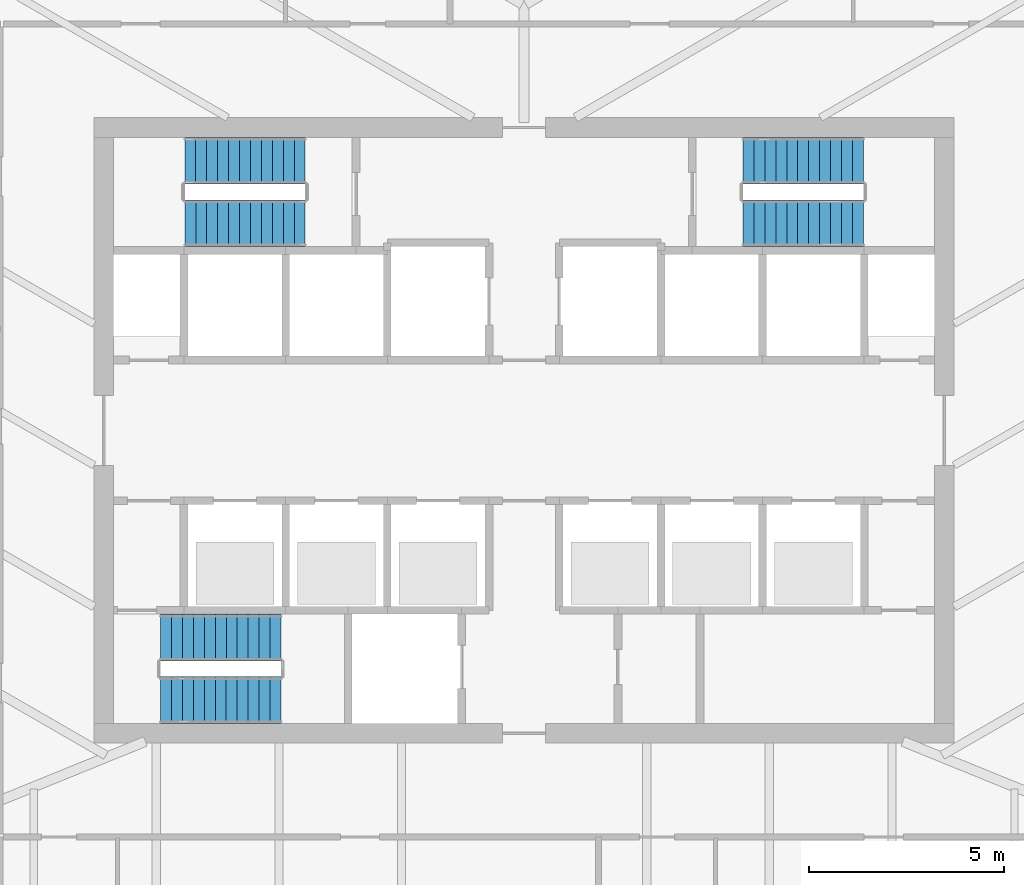
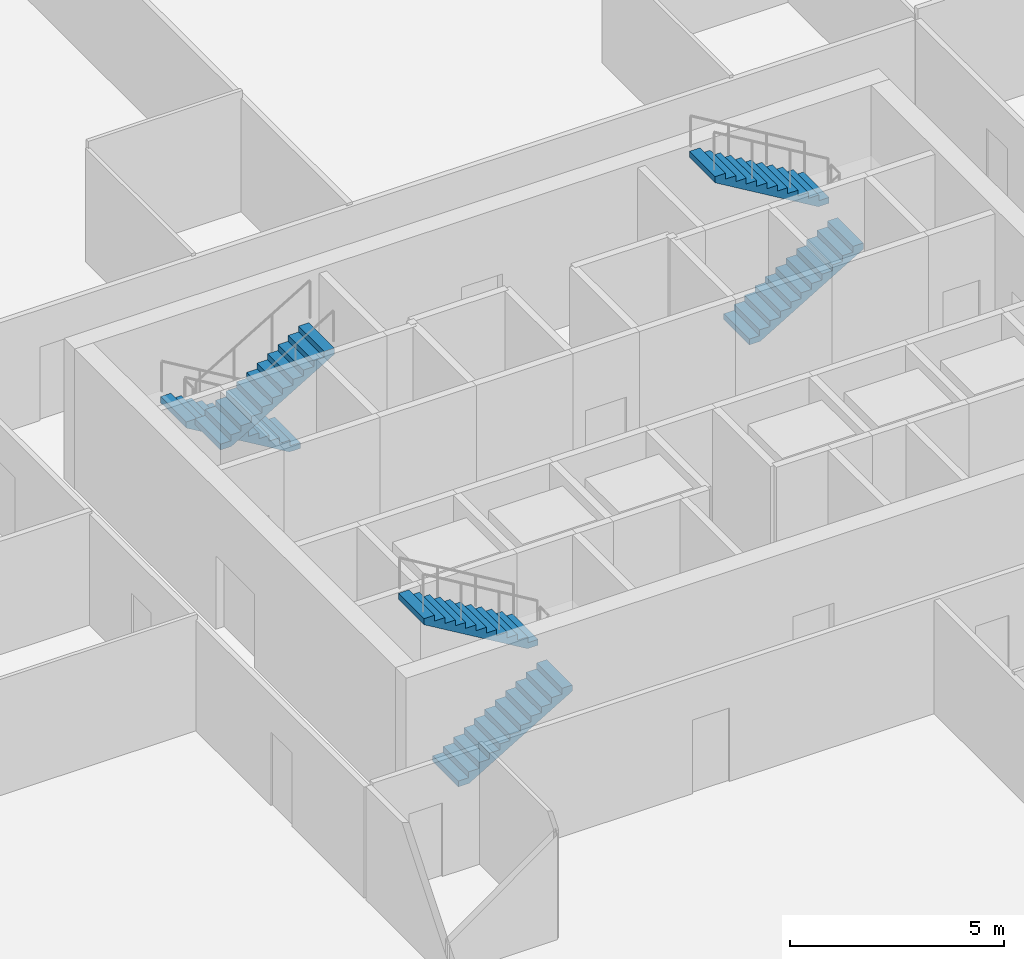
# One storey, part 12 of 16: 6 stair flights, 3 elements without a shape of their own.
"""IFC4 building model written with IfcOpenShell, lengths in metres."""

import ifcopenshell
import ifcopenshell.guid

model = None  # the IFC model being written
_history = None  # IfcOwnerHistory: only IFC2X3 demands one
_inside = {}  # id of a spatial element -> (the spatial element, [elements in it])
_under = {}  # id of a project, library or spatial element -> (it, [spatial elements below it])
_declared = {}  # id of a project -> (the project, [libraries it declares])
_typed = {}  # id of a type object -> (the type object, [elements of that type])
_made_of = {}  # id of a material, layer set ... -> (it, [elements and type objects made of it])


def new_model(schema):
    """Start an empty IFC model of exactly this schema.

    Asked for "IFC4X3", IfcOpenShell would pick the latest addendum, in which some entities
    have other attributes; the version numbers below select the first issue.
    IFC2X3 requires an IfcOwnerHistory on every rooted entity: one is made here for all.
    """
    global model, _history
    if schema == "IFC4X3":
        model = ifcopenshell.file(schema_version=(4, 3, 0, 0))
    else:
        model = ifcopenshell.file(schema=schema)
    _inside.clear()
    _under.clear()
    _declared.clear()
    _typed.clear()
    _made_of.clear()
    _history = None
    if model.schema == "IFC2X3":
        org = make("IfcOrganization", Name="unknown")
        user = make(
            "IfcPersonAndOrganization",
            ThePerson=make("IfcPerson", FamilyName="unknown"),
            TheOrganization=org,
        )
        app = make(
            "IfcApplication",
            ApplicationDeveloper=org,
            Version="unknown",
            ApplicationFullName="unknown",
            ApplicationIdentifier="unknown",
        )
        _history = make(
            "IfcOwnerHistory",
            OwningUser=user,
            OwningApplication=app,
            ChangeAction="ADDED",
            CreationDate=0,
        )
    return model


def make(cls, **values):
    """One entity of the class cls with the attributes given. An attribute that is None is left unset."""
    return model.create_entity(
        cls, **{name: value for name, value in values.items() if value is not None}
    )


def rooted(cls, **values):
    """An entity with a GlobalId (a new one), such as an element, a storey or a relation."""
    return make(cls, GlobalId=ifcopenshell.guid.new(), OwnerHistory=_history, **values)


def si_unit(unit_type, name, prefix=None):
    """IfcSIUnit, for example si_unit("LENGTHUNIT", "METRE", prefix="MILLI")."""
    return make("IfcSIUnit", UnitType=unit_type, Prefix=prefix, Name=name)


def assignment(units):
    """IfcUnitAssignment: the units of a project."""
    return None if units is None else make("IfcUnitAssignment", Units=units)


def point(xyz):
    """IfcCartesianPoint."""
    return None if xyz is None else make("IfcCartesianPoint", Coordinates=xyz)


def direction(xyz):
    """IfcDirection."""
    return None if xyz is None else make("IfcDirection", DirectionRatios=xyz)


def frame(location, z_axis=None, x_axis=None):
    """IfcAxis2Placement3D, a coordinate frame: its origin and axes. An axis left out is left unset."""
    return make(
        "IfcAxis2Placement3D",
        Location=point(location),
        Axis=direction(z_axis),
        RefDirection=direction(x_axis),
    )


def origin():
    """The frame at (0, 0, 0) with its axes left unset."""
    return frame((0.0, 0.0, 0.0))


def place(relative_to, where):
    """IfcLocalPlacement: puts the frame where relative to a parent placement (None: the world)."""
    return make(
        "IfcLocalPlacement", PlacementRelTo=relative_to, RelativePlacement=where
    )


def context(
    kind, dimensions, precision=None, world=None, true_north=None, identifier=None
):
    """IfcGeometricRepresentationContext, for example the 3D "Model" context."""
    return make(
        "IfcGeometricRepresentationContext",
        ContextIdentifier=identifier,
        ContextType=kind,
        CoordinateSpaceDimension=dimensions,
        Precision=precision,
        WorldCoordinateSystem=world,
        TrueNorth=true_north,
    )


def subcontext(parent, identifier, kind, view, scale=None):
    """IfcGeometricRepresentationSubContext, for example "Body" below "Model"."""
    return make(
        "IfcGeometricRepresentationSubContext",
        ContextIdentifier=identifier,
        ContextType=kind,
        ParentContext=parent,
        TargetScale=scale,
        TargetView=view,
    )


def project(units=None, contexts=None):
    """IfcProject with its units and contexts."""
    return rooted(
        "IfcProject",
        Name="project",
        RepresentationContexts=contexts,
        UnitsInContext=assignment(units),
    )


def spatial(cls, under=None, at=None, **own):
    """A site, building, storey or space (cls), placed at a placement, below another one or the project."""
    s = rooted(cls, ObjectPlacement=at, **own)
    if under is not None:
        _under.setdefault(under.id(), (under, []))[1].append(s)
    return s


def polyline(points):
    """IfcPolyline through the points."""
    return make("IfcPolyline", Points=[point(p) for p in points])


def outline(outer, holes=None, kind="AREA"):
    """IfcArbitraryClosedProfileDef: a profile drawn as a closed curve; with holes, ...WithVoids."""
    if holes is None:
        return make("IfcArbitraryClosedProfileDef", ProfileType=kind, OuterCurve=outer)
    return make(
        "IfcArbitraryProfileDefWithVoids",
        ProfileType=kind,
        OuterCurve=outer,
        InnerCurves=holes,
    )


def extrude(swept, where, along, depth):
    """IfcExtrudedAreaSolid: the profile swept, set in the frame where, extruded along a direction by depth."""
    return make(
        "IfcExtrudedAreaSolid",
        SweptArea=swept,
        Position=where,
        ExtrudedDirection=direction(along),
        Depth=depth,
    )


def shape(context_of_items, identifier, shape_type, items):
    """IfcShapeRepresentation: the items that make up one representation, for example the "Body"."""
    return make(
        "IfcShapeRepresentation",
        ContextOfItems=context_of_items,
        RepresentationIdentifier=identifier,
        RepresentationType=shape_type,
        Items=items,
    )


def material(Name=None, Category=None):
    """IfcMaterial."""
    return make("IfcMaterial", Name=Name, Category=Category)


def made_of(thing, what):
    """Note that an element or type object is made of a material, layer set ...; save() writes the relation."""
    if what is not None:
        _made_of.setdefault(what.id(), (what, []))[1].append(thing)
    return thing


def type_object(cls, material=None, **own):
    """A type object (cls), such as IfcWallType, which elements share."""
    return made_of(rooted(cls, **own), material)


def element(
    cls,
    number,
    at=None,
    inside=None,
    cuts=None,
    type_object=None,
    material=None,
    context=None,
    identifier="Body",
    shape_type=None,
    held_by="IfcProductDefinitionShape",
    body=None,
    shapes=None,
    **own,
):
    """One element of the class cls, such as IfcWall. Its Tag is "e" and its number.

    at: its placement. inside: the storey or other place that contains it. cuts: it is an
    opening in that element (IfcRelVoidsElement). A single representation is given by context,
    identifier, shape_type and body (its items); several are given by shapes. held_by: the class
    of the entity that holds the representations. save() writes the other relations.
    """
    e = rooted(cls, Tag="e%d" % number, ObjectPlacement=at, **own)
    if body is not None:
        shapes = [shape(context, identifier, shape_type, body)]
    if shapes is not None:
        e.Representation = make(held_by, Representations=shapes)
    if inside is not None:
        _inside.setdefault(inside.id(), (inside, []))[1].append(e)
    if cuts is not None:
        rooted(
            "IfcRelVoidsElement", RelatingBuildingElement=cuts, RelatedOpeningElement=e
        )
    if type_object is not None:
        _typed.setdefault(type_object.id(), (type_object, []))[1].append(e)
    return made_of(e, material)


def aggregate(whole, parts):
    """IfcRelAggregates: a whole, such as a stair, and the parts it consists of."""
    return rooted("IfcRelAggregates", RelatingObject=whole, RelatedObjects=parts)


def save(model, path):
    """Write the relations noted so far, then the file.

    IfcRelAggregates (storeys below a building ...), IfcRelContainedInSpatialStructure (elements
    in a storey), IfcRelDefinesByType, IfcRelAssociatesMaterial and IfcRelDeclares: one each for
    every whole, place, type object, material and project.
    """
    for whole, parts in _under.values():
        aggregate(whole, parts)
    for where, things in _inside.values():
        rooted(
            "IfcRelContainedInSpatialStructure",
            RelatedElements=things,
            RelatingStructure=where,
        )
    for kind, things in _typed.values():
        rooted("IfcRelDefinesByType", RelatedObjects=things, RelatingType=kind)
    for what, things in _made_of.values():
        rooted("IfcRelAssociatesMaterial", RelatedObjects=things, RelatingMaterial=what)
    for by, libraries in _declared.values():
        rooted("IfcRelDeclares", RelatingContext=by, RelatedDefinitions=libraries)
    model.write(path)


model = new_model("IFC4")

# Units and contexts
model_context = context("Model", 3, precision=1e-05, world=origin(), true_north=direction((0.0, 1.0)))
body_context = subcontext(model_context, "Body", "Model", "MODEL_VIEW")
ifc_project = project(units=[si_unit("LENGTHUNIT", "METRE"), si_unit("AREAUNIT", "SQUARE_METRE"), si_unit("VOLUMEUNIT", "CUBIC_METRE"), si_unit("PLANEANGLEUNIT", "RADIAN"), si_unit("MASSUNIT", "GRAM", prefix="KILO")], contexts=[model_context])

# Site, building, storey
site_placement = place(None, origin())
site = spatial("IfcSite", under=ifc_project, at=site_placement, CompositionType="ELEMENT")
building_placement = place(site_placement, origin())
building = spatial("IfcBuilding", under=site, at=building_placement, Name="Sierra Prisma Convention Tower", CompositionType="ELEMENT")
storey_placement = place(building_placement, frame((0.0, 0.0, 181.800048828125)))
storey = spatial("IfcBuildingStorey", under=building, at=storey_placement, Name="L40", CompositionType="ELEMENT", Elevation=181.800048828125)

# Stair, stair flights
ifc_material_1 = material(Name="Concrete C30/37", Category="concrete")
stair_type = type_object("IfcStairType", Name="Stair dog-leg 1200 RC", PredefinedType="HALF_TURN_STAIR", material=ifc_material_1)
stair_1_placement = place(storey_placement, origin())
stair_1 = element("IfcStair", 1, at=stair_1_placement, inside=storey, type_object=stair_type, Name="L40 S1", PredefinedType="HALF_TURN_STAIR")
ifc_material_2 = material(Name="Concrete C30/37", Category="concrete")
stair_flight_type = type_object("IfcStairFlightType", Name="Stair flight RC 1200", PredefinedType="STRAIGHT", material=ifc_material_2)
stair_flight_1_placement = place(storey_placement, frame((-9.300048828125, -6.89990234375, 0.0), z_axis=(0.0, 0.0, 1.0), x_axis=(1.0, 0.0, 0.0)))
stair_flight_1 = element("IfcStairFlight", 2, at=stair_flight_1_placement, type_object=stair_flight_type, Name="S1 flight 1", NumberOfRisers=12, NumberOfTreads=11, PredefinedType="STRAIGHT", RiserHeight=0.166666667, TreadLength=0.28, context=body_context, shape_type="SweptSolid", body=[
    extrude(outline(polyline([(0.0, 0.0), (0.0, 0.166748046875), (0.280029296875, 0.166748046875), (0.280029296875, 0.333251953125), (0.56005859375, 0.333251953125), (0.56005859375, 0.5), (0.840087890625, 0.5), (0.840087890625, 0.666748046875), (1.1201171875, 0.666748046875), (1.1201171875, 0.833251953125), (1.39990234375, 0.833251953125), (1.39990234375, 1.0), (1.679931640625, 1.0), (1.679931640625, 1.166748046875), (1.9599609375, 1.166748046875), (1.9599609375, 1.333251953125), (2.239990234375, 1.333251953125), (2.239990234375, 1.5), (2.52001953125, 1.5), (2.52001953125, 1.666748046875), (2.800048828125, 1.666748046875), (2.800048828125, 1.833251953125), (3.080078125, 1.833251953125), (3.080078125, 2.0), (3.080078125, 1.658935546875), (0.29296875, 0.0), (0.0, 0.0)])), frame((0.0, 0.60009765625, 0.0), z_axis=(0.0, -1.0, 0.0), x_axis=(1.0, 0.0, 0.0)), (0.0, 0.0, 1.0), 1.199951171875),
])
stair_flight_2_placement = place(storey_placement, frame((-6.219970703125, -5.300048828125, 2.0), z_axis=(0.0, 0.0, 1.0), x_axis=(-1.0, 0.0, 0.0)))
stair_flight_2 = element("IfcStairFlight", 3, at=stair_flight_2_placement, type_object=stair_flight_type, Name="S1 flight 2", NumberOfRisers=12, NumberOfTreads=11, PredefinedType="STRAIGHT", RiserHeight=0.166666667, TreadLength=0.28, context=body_context, shape_type="SweptSolid", body=[
    extrude(outline(polyline([(0.0, 0.0), (0.0, 0.166748046875), (0.280029296875, 0.166748046875), (0.280029296875, 0.333251953125), (0.56005859375, 0.333251953125), (0.56005859375, 0.5), (0.840087890625, 0.5), (0.840087890625, 0.666748046875), (1.1201171875, 0.666748046875), (1.1201171875, 0.833251953125), (1.39990234375, 0.833251953125), (1.39990234375, 1.0), (1.679931640625, 1.0), (1.679931640625, 1.166748046875), (1.9599609375, 1.166748046875), (1.9599609375, 1.333251953125), (2.239990234375, 1.333251953125), (2.239990234375, 1.5), (2.52001953125, 1.5), (2.52001953125, 1.666748046875), (2.800048828125, 1.666748046875), (2.800048828125, 1.833251953125), (3.080078125, 1.833251953125), (3.080078125, 2.0), (3.080078125, 1.658935546875), (0.29296875, 0.0), (0.0, 0.0)])), frame((0.0, 0.60009765625, 0.0), z_axis=(0.0, -1.0, 0.0), x_axis=(1.0, 0.0, 0.0)), (0.0, 0.0, 1.0), 1.199951171875),
])
aggregate(stair_1, [stair_flight_1, stair_flight_2])

stair_2_placement = place(storey_placement, origin())
stair_2 = element("IfcStair", 4, at=stair_2_placement, inside=storey, type_object=stair_type, Name="L40 S3", PredefinedType="HALF_TURN_STAIR")
stair_flight_3_placement = place(storey_placement, frame((-5.60009765625, 6.89990234375, 0.0), z_axis=(0.0, 0.0, 1.0), x_axis=(-1.0, 0.0, 0.0)))
stair_flight_3 = element("IfcStairFlight", 5, at=stair_flight_3_placement, type_object=stair_flight_type, Name="S3 flight 1", NumberOfRisers=12, NumberOfTreads=11, PredefinedType="STRAIGHT", RiserHeight=0.166666667, TreadLength=0.28, context=body_context, shape_type="SweptSolid", body=[
    extrude(outline(polyline([(0.0, 0.0), (0.0, 0.166748046875), (0.280029296875, 0.166748046875), (0.280029296875, 0.333251953125), (0.56005859375, 0.333251953125), (0.56005859375, 0.5), (0.840087890625, 0.5), (0.840087890625, 0.666748046875), (1.1201171875, 0.666748046875), (1.1201171875, 0.833251953125), (1.39990234375, 0.833251953125), (1.39990234375, 1.0), (1.679931640625, 1.0), (1.679931640625, 1.166748046875), (1.9599609375, 1.166748046875), (1.9599609375, 1.333251953125), (2.239990234375, 1.333251953125), (2.239990234375, 1.5), (2.52001953125, 1.5), (2.52001953125, 1.666748046875), (2.800048828125, 1.666748046875), (2.800048828125, 1.833251953125), (3.080078125, 1.833251953125), (3.080078125, 2.0), (3.080078125, 1.658935546875), (0.29296875, 0.0), (0.0, 0.0)])), frame((0.0, 0.60009765625, 0.0), z_axis=(0.0, -1.0, 0.0), x_axis=(1.0, 0.0, 0.0)), (0.0, 0.0, 1.0), 1.199951171875),
])
stair_flight_4_placement = place(storey_placement, frame((-8.679931640625, 5.300048828125, 2.0), z_axis=(0.0, 0.0, 1.0), x_axis=(1.0, 0.0, 0.0)))
stair_flight_4 = element("IfcStairFlight", 6, at=stair_flight_4_placement, type_object=stair_flight_type, Name="S3 flight 2", NumberOfRisers=12, NumberOfTreads=11, PredefinedType="STRAIGHT", RiserHeight=0.166666667, TreadLength=0.28, context=body_context, shape_type="SweptSolid", body=[
    extrude(outline(polyline([(0.0, 0.0), (0.0, 0.166748046875), (0.280029296875, 0.166748046875), (0.280029296875, 0.333251953125), (0.56005859375, 0.333251953125), (0.56005859375, 0.5), (0.840087890625, 0.5), (0.840087890625, 0.666748046875), (1.1201171875, 0.666748046875), (1.1201171875, 0.833251953125), (1.39990234375, 0.833251953125), (1.39990234375, 1.0), (1.679931640625, 1.0), (1.679931640625, 1.166748046875), (1.9599609375, 1.166748046875), (1.9599609375, 1.333251953125), (2.239990234375, 1.333251953125), (2.239990234375, 1.5), (2.52001953125, 1.5), (2.52001953125, 1.666748046875), (2.800048828125, 1.666748046875), (2.800048828125, 1.833251953125), (3.080078125, 1.833251953125), (3.080078125, 2.0), (3.080078125, 1.658935546875), (0.29296875, 0.0), (0.0, 0.0)])), frame((0.0, 0.60009765625, 0.0), z_axis=(0.0, -1.0, 0.0), x_axis=(1.0, 0.0, 0.0)), (0.0, 0.0, 1.0), 1.199951171875),
])
aggregate(stair_2, [stair_flight_3, stair_flight_4])

stair_3_placement = place(storey_placement, origin())
stair_3 = element("IfcStair", 7, at=stair_3_placement, inside=storey, type_object=stair_type, Name="L40 S4", PredefinedType="HALF_TURN_STAIR")
stair_flight_5_placement = place(storey_placement, frame((5.60009765625, 5.300048828125, 0.0), z_axis=(0.0, 0.0, 1.0), x_axis=(1.0, 0.0, 0.0)))
stair_flight_5 = element("IfcStairFlight", 8, at=stair_flight_5_placement, type_object=stair_flight_type, Name="S4 flight 1", NumberOfRisers=12, NumberOfTreads=11, PredefinedType="STRAIGHT", RiserHeight=0.166666667, TreadLength=0.28, context=body_context, shape_type="SweptSolid", body=[
    extrude(outline(polyline([(0.0, 0.0), (0.0, 0.166748046875), (0.280029296875, 0.166748046875), (0.280029296875, 0.333251953125), (0.56005859375, 0.333251953125), (0.56005859375, 0.5), (0.840087890625, 0.5), (0.840087890625, 0.666748046875), (1.1201171875, 0.666748046875), (1.1201171875, 0.833251953125), (1.39990234375, 0.833251953125), (1.39990234375, 1.0), (1.679931640625, 1.0), (1.679931640625, 1.166748046875), (1.9599609375, 1.166748046875), (1.9599609375, 1.333251953125), (2.239990234375, 1.333251953125), (2.239990234375, 1.5), (2.52001953125, 1.5), (2.52001953125, 1.666748046875), (2.800048828125, 1.666748046875), (2.800048828125, 1.833251953125), (3.080078125, 1.833251953125), (3.080078125, 2.0), (3.080078125, 1.658935546875), (0.29296875, 0.0), (0.0, 0.0)])), frame((0.0, 0.60009765625, 0.0), z_axis=(0.0, -1.0, 0.0), x_axis=(1.0, 0.0, 0.0)), (0.0, 0.0, 1.0), 1.199951171875),
])
stair_flight_6_placement = place(storey_placement, frame((8.679931640625, 6.89990234375, 2.0), z_axis=(0.0, 0.0, 1.0), x_axis=(-1.0, 0.0, 0.0)))
stair_flight_6 = element("IfcStairFlight", 9, at=stair_flight_6_placement, type_object=stair_flight_type, Name="S4 flight 2", NumberOfRisers=12, NumberOfTreads=11, PredefinedType="STRAIGHT", RiserHeight=0.166666667, TreadLength=0.28, context=body_context, shape_type="SweptSolid", body=[
    extrude(outline(polyline([(0.0, 0.0), (0.0, 0.166748046875), (0.280029296875, 0.166748046875), (0.280029296875, 0.333251953125), (0.56005859375, 0.333251953125), (0.56005859375, 0.5), (0.840087890625, 0.5), (0.840087890625, 0.666748046875), (1.1201171875, 0.666748046875), (1.1201171875, 0.833251953125), (1.39990234375, 0.833251953125), (1.39990234375, 1.0), (1.679931640625, 1.0), (1.679931640625, 1.166748046875), (1.9599609375, 1.166748046875), (1.9599609375, 1.333251953125), (2.239990234375, 1.333251953125), (2.239990234375, 1.5), (2.52001953125, 1.5), (2.52001953125, 1.666748046875), (2.800048828125, 1.666748046875), (2.800048828125, 1.833251953125), (3.080078125, 1.833251953125), (3.080078125, 2.0), (3.080078125, 1.658935546875), (0.29296875, 0.0), (0.0, 0.0)])), frame((0.0, 0.60009765625, 0.0), z_axis=(0.0, -1.0, 0.0), x_axis=(1.0, 0.0, 0.0)), (0.0, 0.0, 1.0), 1.199951171875),
])
aggregate(stair_3, [stair_flight_5, stair_flight_6])

save(model, "model.ifc")
